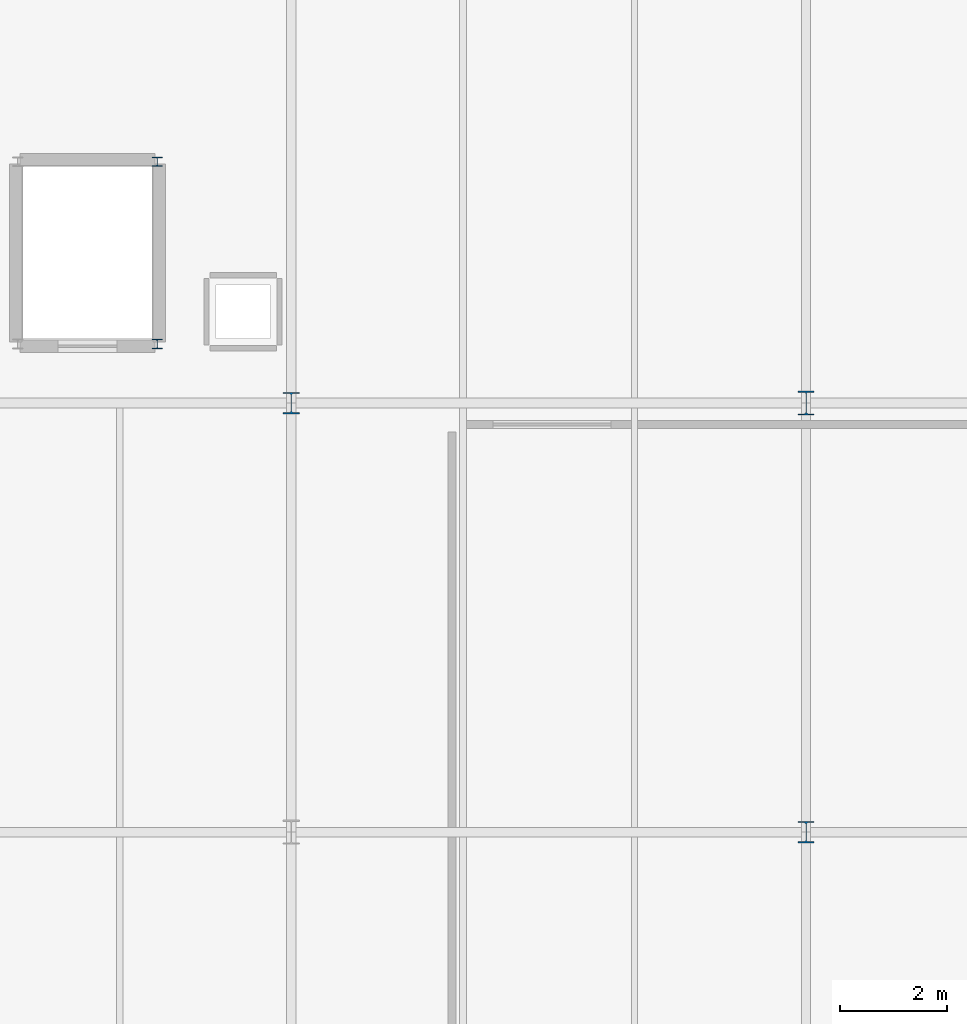
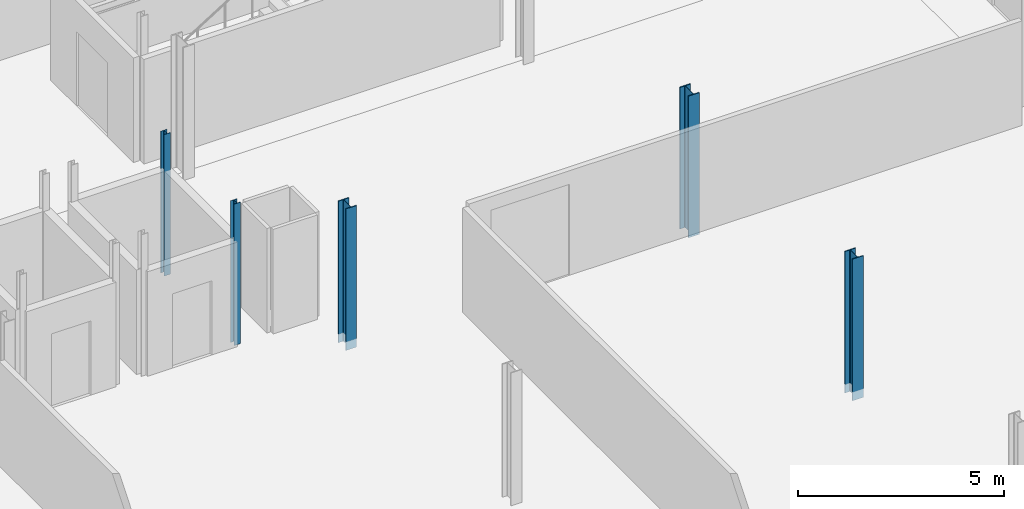
# One storey, part 8 of 85: 5 columns.
"""IFC4 building model written with IfcOpenShell, lengths in metres."""

import ifcopenshell
import ifcopenshell.guid

model = None  # the IFC model being written
_history = None  # IfcOwnerHistory: only IFC2X3 demands one
_inside = {}  # id of a spatial element -> (the spatial element, [elements in it])
_under = {}  # id of a project, library or spatial element -> (it, [spatial elements below it])
_declared = {}  # id of a project -> (the project, [libraries it declares])
_typed = {}  # id of a type object -> (the type object, [elements of that type])
_made_of = {}  # id of a material, layer set ... -> (it, [elements and type objects made of it])


def new_model(schema):
    """Start an empty IFC model of exactly this schema.

    Asked for "IFC4X3", IfcOpenShell would pick the latest addendum, in which some entities
    have other attributes; the version numbers below select the first issue.
    IFC2X3 requires an IfcOwnerHistory on every rooted entity: one is made here for all.
    """
    global model, _history
    if schema == "IFC4X3":
        model = ifcopenshell.file(schema_version=(4, 3, 0, 0))
    else:
        model = ifcopenshell.file(schema=schema)
    _inside.clear()
    _under.clear()
    _declared.clear()
    _typed.clear()
    _made_of.clear()
    _history = None
    if model.schema == "IFC2X3":
        org = make("IfcOrganization", Name="unknown")
        user = make(
            "IfcPersonAndOrganization",
            ThePerson=make("IfcPerson", FamilyName="unknown"),
            TheOrganization=org,
        )
        app = make(
            "IfcApplication",
            ApplicationDeveloper=org,
            Version="unknown",
            ApplicationFullName="unknown",
            ApplicationIdentifier="unknown",
        )
        _history = make(
            "IfcOwnerHistory",
            OwningUser=user,
            OwningApplication=app,
            ChangeAction="ADDED",
            CreationDate=0,
        )
    return model


def make(cls, **values):
    """One entity of the class cls with the attributes given. An attribute that is None is left unset."""
    return model.create_entity(
        cls, **{name: value for name, value in values.items() if value is not None}
    )


def rooted(cls, **values):
    """An entity with a GlobalId (a new one), such as an element, a storey or a relation."""
    return make(cls, GlobalId=ifcopenshell.guid.new(), OwnerHistory=_history, **values)


def si_unit(unit_type, name, prefix=None):
    """IfcSIUnit, for example si_unit("LENGTHUNIT", "METRE", prefix="MILLI")."""
    return make("IfcSIUnit", UnitType=unit_type, Prefix=prefix, Name=name)


def assignment(units):
    """IfcUnitAssignment: the units of a project."""
    return None if units is None else make("IfcUnitAssignment", Units=units)


def point(xyz):
    """IfcCartesianPoint."""
    return None if xyz is None else make("IfcCartesianPoint", Coordinates=xyz)


def direction(xyz):
    """IfcDirection."""
    return None if xyz is None else make("IfcDirection", DirectionRatios=xyz)


def frame(location, z_axis=None, x_axis=None):
    """IfcAxis2Placement3D, a coordinate frame: its origin and axes. An axis left out is left unset."""
    return make(
        "IfcAxis2Placement3D",
        Location=point(location),
        Axis=direction(z_axis),
        RefDirection=direction(x_axis),
    )


def frame_2d(location, x_axis=None):
    """IfcAxis2Placement2D, a coordinate frame in the plane: its origin and x axis."""
    return make(
        "IfcAxis2Placement2D", Location=point(location), RefDirection=direction(x_axis)
    )


def origin():
    """The frame at (0, 0, 0) with its axes left unset."""
    return frame((0.0, 0.0, 0.0))


def origin_2d():
    """The frame at (0, 0) in the plane with its x axis left unset."""
    return frame_2d((0.0, 0.0))


def place(relative_to, where):
    """IfcLocalPlacement: puts the frame where relative to a parent placement (None: the world)."""
    return make(
        "IfcLocalPlacement", PlacementRelTo=relative_to, RelativePlacement=where
    )


def context(
    kind, dimensions, precision=None, world=None, true_north=None, identifier=None
):
    """IfcGeometricRepresentationContext, for example the 3D "Model" context."""
    return make(
        "IfcGeometricRepresentationContext",
        ContextIdentifier=identifier,
        ContextType=kind,
        CoordinateSpaceDimension=dimensions,
        Precision=precision,
        WorldCoordinateSystem=world,
        TrueNorth=true_north,
    )


def subcontext(parent, identifier, kind, view, scale=None):
    """IfcGeometricRepresentationSubContext, for example "Body" below "Model"."""
    return make(
        "IfcGeometricRepresentationSubContext",
        ContextIdentifier=identifier,
        ContextType=kind,
        ParentContext=parent,
        TargetScale=scale,
        TargetView=view,
    )


def project(units=None, contexts=None):
    """IfcProject with its units and contexts."""
    return rooted(
        "IfcProject",
        Name="project",
        RepresentationContexts=contexts,
        UnitsInContext=assignment(units),
    )


def spatial(cls, under=None, at=None, **own):
    """A site, building, storey or space (cls), placed at a placement, below another one or the project."""
    s = rooted(cls, ObjectPlacement=at, **own)
    if under is not None:
        _under.setdefault(under.id(), (under, []))[1].append(s)
    return s


def profile(cls, at=None, kind="AREA", **sizes):
    """A parametric profile (cls). Its sizes go by their IFC names, for example OverallWidth=200.0."""
    return make(cls, ProfileType=kind, Position=at, **sizes)


def i_section(**sizes):
    """IfcIShapeProfileDef."""
    return profile("IfcIShapeProfileDef", **sizes)


def extrude(swept, where, along, depth):
    """IfcExtrudedAreaSolid: the profile swept, set in the frame where, extruded along a direction by depth."""
    return make(
        "IfcExtrudedAreaSolid",
        SweptArea=swept,
        Position=where,
        ExtrudedDirection=direction(along),
        Depth=depth,
    )


def shape(context_of_items, identifier, shape_type, items):
    """IfcShapeRepresentation: the items that make up one representation, for example the "Body"."""
    return make(
        "IfcShapeRepresentation",
        ContextOfItems=context_of_items,
        RepresentationIdentifier=identifier,
        RepresentationType=shape_type,
        Items=items,
    )


def material(Name=None, Category=None):
    """IfcMaterial."""
    return make("IfcMaterial", Name=Name, Category=Category)


def material_profile(
    of_material, cross_section, Name=None, Category=None, Priority=None
):
    """IfcMaterialProfile: a cross section and its material."""
    return make(
        "IfcMaterialProfile",
        Name=Name,
        Material=of_material,
        Profile=cross_section,
        Priority=Priority,
        Category=Category,
    )


def profile_set(profiles, Name=None, composite=None):
    """IfcMaterialProfileSet."""
    return make(
        "IfcMaterialProfileSet",
        Name=Name,
        MaterialProfiles=profiles,
        CompositeProfile=composite,
    )


def made_of(thing, what):
    """Note that an element or type object is made of a material, layer set ...; save() writes the relation."""
    if what is not None:
        _made_of.setdefault(what.id(), (what, []))[1].append(thing)
    return thing


def type_object(cls, material=None, **own):
    """A type object (cls), such as IfcWallType, which elements share."""
    return made_of(rooted(cls, **own), material)


def element(
    cls,
    number,
    at=None,
    inside=None,
    cuts=None,
    type_object=None,
    material=None,
    context=None,
    identifier="Body",
    shape_type=None,
    held_by="IfcProductDefinitionShape",
    body=None,
    shapes=None,
    **own,
):
    """One element of the class cls, such as IfcWall. Its Tag is "e" and its number.

    at: its placement. inside: the storey or other place that contains it. cuts: it is an
    opening in that element (IfcRelVoidsElement). A single representation is given by context,
    identifier, shape_type and body (its items); several are given by shapes. held_by: the class
    of the entity that holds the representations. save() writes the other relations.
    """
    e = rooted(cls, Tag="e%d" % number, ObjectPlacement=at, **own)
    if body is not None:
        shapes = [shape(context, identifier, shape_type, body)]
    if shapes is not None:
        e.Representation = make(held_by, Representations=shapes)
    if inside is not None:
        _inside.setdefault(inside.id(), (inside, []))[1].append(e)
    if cuts is not None:
        rooted(
            "IfcRelVoidsElement", RelatingBuildingElement=cuts, RelatedOpeningElement=e
        )
    if type_object is not None:
        _typed.setdefault(type_object.id(), (type_object, []))[1].append(e)
    return made_of(e, material)


def aggregate(whole, parts):
    """IfcRelAggregates: a whole, such as a stair, and the parts it consists of."""
    return rooted("IfcRelAggregates", RelatingObject=whole, RelatedObjects=parts)


def save(model, path):
    """Write the relations noted so far, then the file.

    IfcRelAggregates (storeys below a building ...), IfcRelContainedInSpatialStructure (elements
    in a storey), IfcRelDefinesByType, IfcRelAssociatesMaterial and IfcRelDeclares: one each for
    every whole, place, type object, material and project.
    """
    for whole, parts in _under.values():
        aggregate(whole, parts)
    for where, things in _inside.values():
        rooted(
            "IfcRelContainedInSpatialStructure",
            RelatedElements=things,
            RelatingStructure=where,
        )
    for kind, things in _typed.values():
        rooted("IfcRelDefinesByType", RelatedObjects=things, RelatingType=kind)
    for what, things in _made_of.values():
        rooted("IfcRelAssociatesMaterial", RelatedObjects=things, RelatingMaterial=what)
    for by, libraries in _declared.values():
        rooted("IfcRelDeclares", RelatingContext=by, RelatedDefinitions=libraries)
    model.write(path)


model = new_model("IFC4")

# Units and contexts
model_context = context("Model", 3, precision=1e-05, world=origin(), true_north=direction((0.0, 1.0)))
body_context = subcontext(model_context, "Body", "Model", "MODEL_VIEW")
ifc_project = project(units=[si_unit("LENGTHUNIT", "METRE"), si_unit("AREAUNIT", "SQUARE_METRE"), si_unit("VOLUMEUNIT", "CUBIC_METRE"), si_unit("PLANEANGLEUNIT", "RADIAN"), si_unit("MASSUNIT", "GRAM", prefix="KILO")], contexts=[model_context])

# Site, building, storey
site_placement = place(None, origin())
site = spatial("IfcSite", under=ifc_project, at=site_placement, CompositionType="ELEMENT")
building_placement = place(site_placement, origin())
building = spatial("IfcBuilding", under=site, at=building_placement, Name="Alderhovde Museum", CompositionType="ELEMENT")
storey_placement = place(building_placement, frame((0.0, 0.0, 8.699951171875)))
storey = spatial("IfcBuildingStorey", under=building, at=storey_placement, Name="L02", CompositionType="ELEMENT", Elevation=8.699951171875)

# Columns
ifc_material_1 = material(Name="Steel S355J2", Category="steel")
ifc_material_profile_1 = material_profile(ifc_material_1, i_section(OverallWidth=0.179931640625, OverallDepth=0.1708984375, WebThickness=0.006103515625, FlangeThickness=0.009521484375, FilletRadius=0.014892578125, at=origin_2d()), Name="HEA 180")
ifc_profile_set_1 = profile_set([ifc_material_profile_1], Name="Steel S355J2")
column_type_1 = type_object("IfcColumnType", Name="COL-HEA180", PredefinedType="COLUMN", material=ifc_profile_set_1)
for number, where, z_axis, x_axis, name in (
    (1, (26.300048828125, 73.10009765625, 0.0), (0.0, 0.0, 1.0), (1.0, 0.0, 0.0), "L02 Lift PL-02 Shaft Column 2"),
    (2, (26.300048828125, 76.5, 0.0), (0.0, 0.0, 1.0), (1.0, 0.0, 0.0), "L02 Lift PL-02 Shaft Column 3"),
):
    element("IfcColumn", number, at=place(storey_placement, frame(where, z_axis=z_axis, x_axis=x_axis)), inside=storey, type_object=column_type_1, Name=name, PredefinedType="COLUMN", context=body_context, shape_type="SweptSolid", body=[
        extrude(i_section(OverallWidth=0.179931640625, OverallDepth=0.1708984375, WebThickness=0.006103515625, FlangeThickness=0.009521484375, FilletRadius=0.014892578125, at=origin_2d()), origin(), (0.0, 0.0, 1.0), 4.199951171875),
    ])
ifc_material_2 = material(Name="Steel S355J2", Category="steel")
ifc_material_profile_2 = material_profile(ifc_material_2, i_section(OverallWidth=0.300048828125, OverallDepth=0.39990234375, WebThickness=0.013427734375, FlangeThickness=0.02392578125, FilletRadius=0.027099609375, at=origin_2d()), Name="HEB 400")
ifc_profile_set_2 = profile_set([ifc_material_profile_2], Name="Steel S355J2")
column_type_2 = type_object("IfcColumnType", Name="COL-HEB400", PredefinedType="COLUMN", material=ifc_profile_set_2)
for number, where, z_axis, x_axis, name in (
    (3, (28.800048828125, 72.0, -0.260009765625), (0.0, 0.0, 1.0), (1.0, 0.0, 0.0), "L02 Column (28.8, 72.0)"),
    (4, (38.39990234375, 64.0, -0.260009765625), (0.0, 0.0, 1.0), (1.0, 0.0, 0.0), "L02 Column (38.4, 64.0)"),
):
    element("IfcColumn", number, at=place(storey_placement, frame(where, z_axis=z_axis, x_axis=x_axis)), inside=storey, type_object=column_type_2, Name=name, PredefinedType="COLUMN", context=body_context, shape_type="SweptSolid", body=[
        extrude(i_section(OverallWidth=0.300048828125, OverallDepth=0.39990234375, WebThickness=0.013427734375, FlangeThickness=0.02392578125, FilletRadius=0.027099609375, at=origin_2d()), origin(), (0.0, 0.0, 1.0), 4.199951171875),
    ])
ifc_material_3 = material(Name="Steel S355J2", Category="steel")
ifc_material_profile_3 = material_profile(ifc_material_3, i_section(OverallWidth=0.300048828125, OverallDepth=0.449951171875, WebThickness=0.013916015625, FlangeThickness=0.02587890625, FilletRadius=0.027099609375, at=origin_2d()), Name="HEB 450")
ifc_profile_set_3 = profile_set([ifc_material_profile_3], Name="Steel S355J2")
column_type_3 = type_object("IfcColumnType", Name="COL-HEB450", PredefinedType="COLUMN", material=ifc_profile_set_3)
column_placement = place(storey_placement, frame((38.39990234375, 72.0, -0.260009765625), z_axis=(0.0, 0.0, 1.0), x_axis=(1.0, 0.0, 0.0)))
element("IfcColumn", 5, at=column_placement, inside=storey, type_object=column_type_3, Name="L02 Column (38.4, 72.0)", PredefinedType="COLUMN", context=body_context, shape_type="SweptSolid", body=[
    extrude(i_section(OverallWidth=0.300048828125, OverallDepth=0.449951171875, WebThickness=0.013916015625, FlangeThickness=0.02587890625, FilletRadius=0.027099609375, at=origin_2d()), origin(), (0.0, 0.0, 1.0), 4.199951171875),
])

save(model, "model.ifc")
